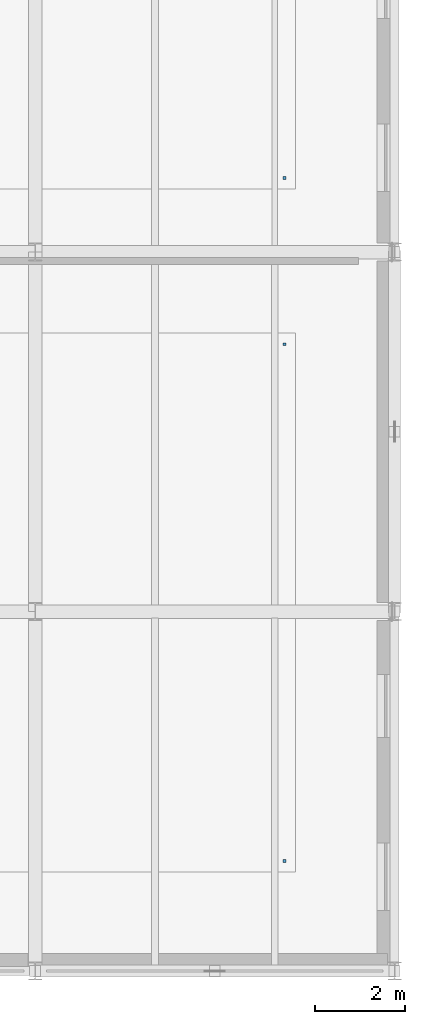
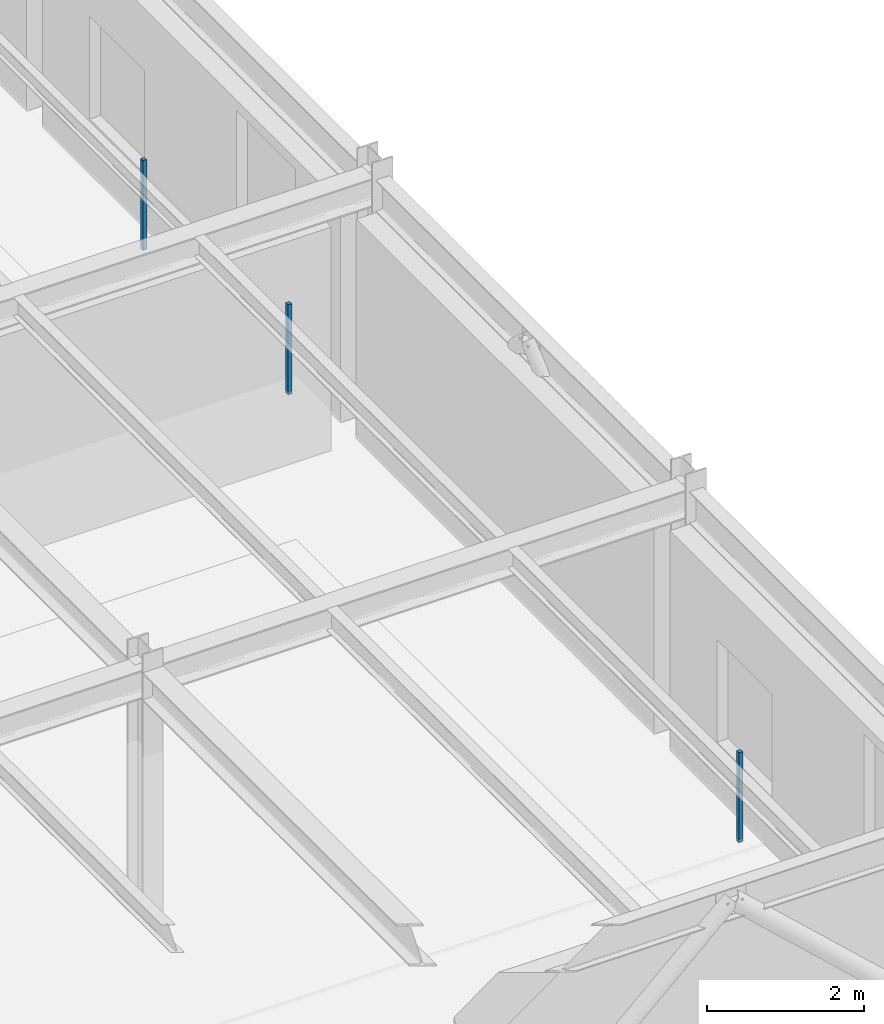
# One storey, part 53 of 67: 3 discrete accessories.
"""IFC4 building model written with IfcOpenShell, lengths in metres."""

from ifc_helpers import new_model, si_unit, direction, frame, origin, origin_2d, place, context, subcontext, project, spatial, rectangle, extrude, material, type_object, element, save


model = new_model("IFC4")

# Units and contexts
model_context = context("Model", 3, precision=1e-05, world=origin(), true_north=direction((0.0, 1.0)))
body_context = subcontext(model_context, "Body", "Model", "MODEL_VIEW")
ifc_project = project(units=[si_unit("LENGTHUNIT", "METRE"), si_unit("AREAUNIT", "SQUARE_METRE"), si_unit("VOLUMEUNIT", "CUBIC_METRE"), si_unit("PLANEANGLEUNIT", "RADIAN"), si_unit("MASSUNIT", "GRAM", prefix="KILO")], contexts=[model_context])

# Site, building, storey
site_placement = place(None, origin())
site = spatial("IfcSite", under=ifc_project, at=site_placement, CompositionType="ELEMENT")
building_placement = place(site_placement, origin())
building = spatial("IfcBuilding", under=site, at=building_placement, Name="Sundkrona Museum", CompositionType="ELEMENT")
storey_placement = place(building_placement, frame((0.0, 0.0, 21.800048828125)))
storey = spatial("IfcBuildingStorey", under=building, at=storey_placement, Name="L04", CompositionType="ELEMENT", Elevation=21.800048828125)

# Discrete accessories
ifc_material = material(Name="Stainless Steel EN 1.4404 Cleat", Category="steel")
discrete_accessory_type = type_object("IfcDiscreteAccessoryType", Name="BRK-FIN-01", PredefinedType="BRACKET", material=ifc_material)
for number, where, z_axis, x_axis, name in (
    (1, (165.550048828125, 2.449951171875, 2.550048828125), (0.0, 0.0, 1.0), (1.0, 0.0, 0.0), "L04 Nordic Landscape Painting Gallery Ceiling Hanger 2"),
    (2, (165.550048828125, 13.949951171875, 2.550048828125), (0.0, 0.0, 1.0), (1.0, 0.0, 0.0), "L04 Nordic Landscape Painting Gallery Ceiling Hanger 3"),
    (3, (165.550048828125, 17.64990234375, 2.550048828125), (0.0, 0.0, 1.0), (1.0, 0.0, 0.0), "L04 Contemporary Visual Arts Gallery Ceiling Hanger 2"),
):
    element("IfcDiscreteAccessory", number, at=place(storey_placement, frame(where, z_axis=z_axis, x_axis=x_axis)), inside=storey, type_object=discrete_accessory_type, Name=name, PredefinedType="BRACKET", context=body_context, shape_type="SweptSolid", body=[
        extrude(rectangle(XDim=0.06005859375, YDim=0.06005859375, at=origin_2d()), origin(), (0.0, 0.0, 1.0), 1.39990234375),
    ])

save(model, "model.ifc")
